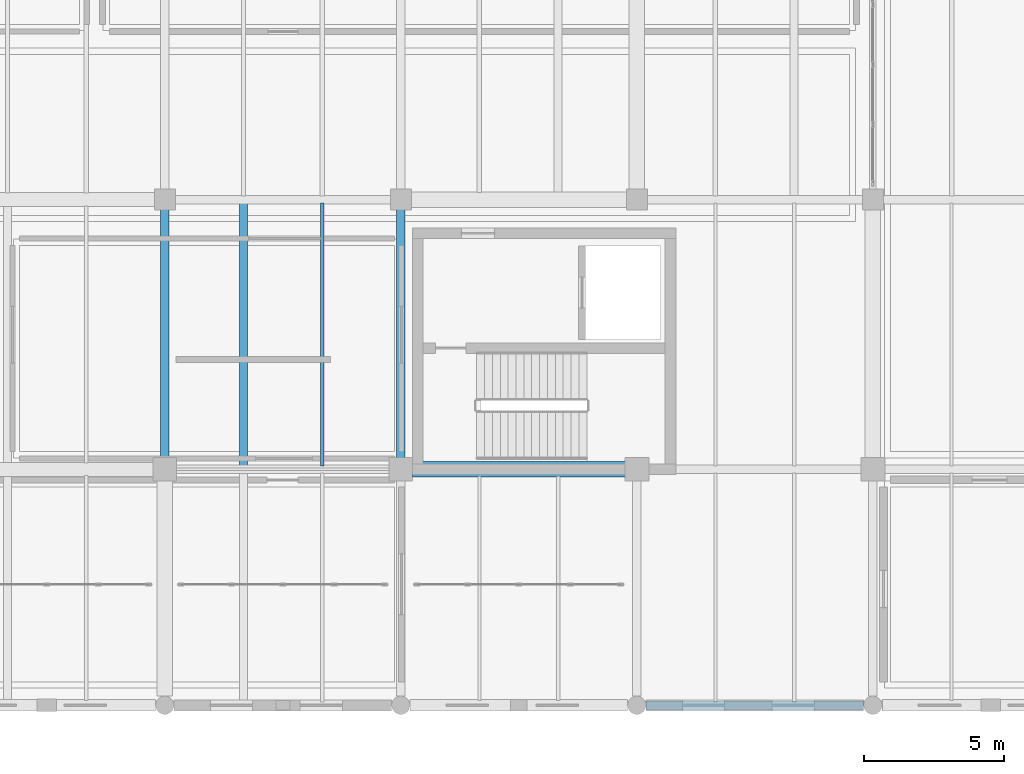
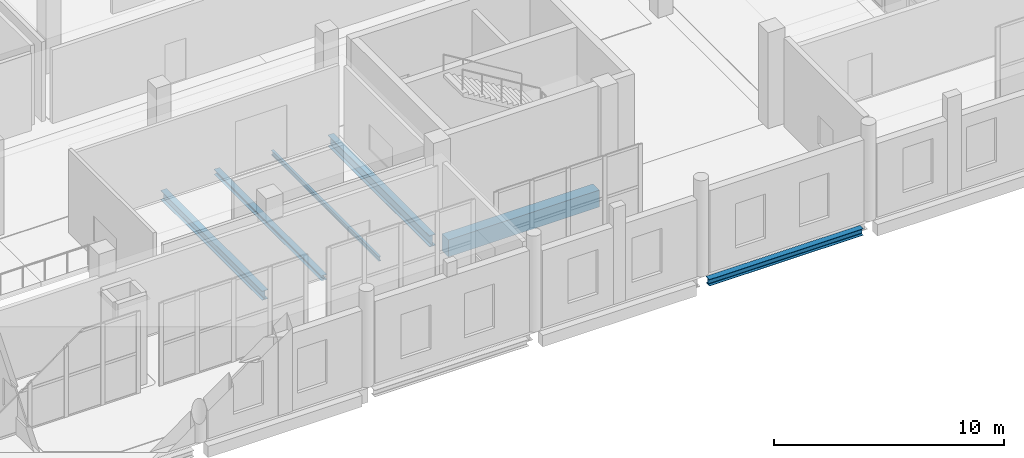
# One storey, part 8 of 73: 6 beams.
"""IFC4 building model written with IfcOpenShell, lengths in metres."""

import ifcopenshell
import ifcopenshell.guid

model = None  # the IFC model being written
_history = None  # IfcOwnerHistory: only IFC2X3 demands one
_inside = {}  # id of a spatial element -> (the spatial element, [elements in it])
_under = {}  # id of a project, library or spatial element -> (it, [spatial elements below it])
_declared = {}  # id of a project -> (the project, [libraries it declares])
_typed = {}  # id of a type object -> (the type object, [elements of that type])
_made_of = {}  # id of a material, layer set ... -> (it, [elements and type objects made of it])


def new_model(schema):
    """Start an empty IFC model of exactly this schema.

    Asked for "IFC4X3", IfcOpenShell would pick the latest addendum, in which some entities
    have other attributes; the version numbers below select the first issue.
    IFC2X3 requires an IfcOwnerHistory on every rooted entity: one is made here for all.
    """
    global model, _history
    if schema == "IFC4X3":
        model = ifcopenshell.file(schema_version=(4, 3, 0, 0))
    else:
        model = ifcopenshell.file(schema=schema)
    _inside.clear()
    _under.clear()
    _declared.clear()
    _typed.clear()
    _made_of.clear()
    _history = None
    if model.schema == "IFC2X3":
        org = make("IfcOrganization", Name="unknown")
        user = make(
            "IfcPersonAndOrganization",
            ThePerson=make("IfcPerson", FamilyName="unknown"),
            TheOrganization=org,
        )
        app = make(
            "IfcApplication",
            ApplicationDeveloper=org,
            Version="unknown",
            ApplicationFullName="unknown",
            ApplicationIdentifier="unknown",
        )
        _history = make(
            "IfcOwnerHistory",
            OwningUser=user,
            OwningApplication=app,
            ChangeAction="ADDED",
            CreationDate=0,
        )
    return model


def make(cls, **values):
    """One entity of the class cls with the attributes given. An attribute that is None is left unset."""
    return model.create_entity(
        cls, **{name: value for name, value in values.items() if value is not None}
    )


def rooted(cls, **values):
    """An entity with a GlobalId (a new one), such as an element, a storey or a relation."""
    return make(cls, GlobalId=ifcopenshell.guid.new(), OwnerHistory=_history, **values)


def si_unit(unit_type, name, prefix=None):
    """IfcSIUnit, for example si_unit("LENGTHUNIT", "METRE", prefix="MILLI")."""
    return make("IfcSIUnit", UnitType=unit_type, Prefix=prefix, Name=name)


def assignment(units):
    """IfcUnitAssignment: the units of a project."""
    return None if units is None else make("IfcUnitAssignment", Units=units)


def point(xyz):
    """IfcCartesianPoint."""
    return None if xyz is None else make("IfcCartesianPoint", Coordinates=xyz)


def direction(xyz):
    """IfcDirection."""
    return None if xyz is None else make("IfcDirection", DirectionRatios=xyz)


def frame(location, z_axis=None, x_axis=None):
    """IfcAxis2Placement3D, a coordinate frame: its origin and axes. An axis left out is left unset."""
    return make(
        "IfcAxis2Placement3D",
        Location=point(location),
        Axis=direction(z_axis),
        RefDirection=direction(x_axis),
    )


def frame_2d(location, x_axis=None):
    """IfcAxis2Placement2D, a coordinate frame in the plane: its origin and x axis."""
    return make(
        "IfcAxis2Placement2D", Location=point(location), RefDirection=direction(x_axis)
    )


def origin():
    """The frame at (0, 0, 0) with its axes left unset."""
    return frame((0.0, 0.0, 0.0))


def origin_2d():
    """The frame at (0, 0) in the plane with its x axis left unset."""
    return frame_2d((0.0, 0.0))


def place(relative_to, where):
    """IfcLocalPlacement: puts the frame where relative to a parent placement (None: the world)."""
    return make(
        "IfcLocalPlacement", PlacementRelTo=relative_to, RelativePlacement=where
    )


def context(
    kind, dimensions, precision=None, world=None, true_north=None, identifier=None
):
    """IfcGeometricRepresentationContext, for example the 3D "Model" context."""
    return make(
        "IfcGeometricRepresentationContext",
        ContextIdentifier=identifier,
        ContextType=kind,
        CoordinateSpaceDimension=dimensions,
        Precision=precision,
        WorldCoordinateSystem=world,
        TrueNorth=true_north,
    )


def subcontext(parent, identifier, kind, view, scale=None):
    """IfcGeometricRepresentationSubContext, for example "Body" below "Model"."""
    return make(
        "IfcGeometricRepresentationSubContext",
        ContextIdentifier=identifier,
        ContextType=kind,
        ParentContext=parent,
        TargetScale=scale,
        TargetView=view,
    )


def project(units=None, contexts=None):
    """IfcProject with its units and contexts."""
    return rooted(
        "IfcProject",
        Name="project",
        RepresentationContexts=contexts,
        UnitsInContext=assignment(units),
    )


def spatial(cls, under=None, at=None, **own):
    """A site, building, storey or space (cls), placed at a placement, below another one or the project."""
    s = rooted(cls, ObjectPlacement=at, **own)
    if under is not None:
        _under.setdefault(under.id(), (under, []))[1].append(s)
    return s


def profile(cls, at=None, kind="AREA", **sizes):
    """A parametric profile (cls). Its sizes go by their IFC names, for example OverallWidth=200.0."""
    return make(cls, ProfileType=kind, Position=at, **sizes)


def rectangle(**sizes):
    """IfcRectangleProfileDef."""
    return profile("IfcRectangleProfileDef", **sizes)


def i_section(**sizes):
    """IfcIShapeProfileDef."""
    return profile("IfcIShapeProfileDef", **sizes)


def extrude(swept, where, along, depth):
    """IfcExtrudedAreaSolid: the profile swept, set in the frame where, extruded along a direction by depth."""
    return make(
        "IfcExtrudedAreaSolid",
        SweptArea=swept,
        Position=where,
        ExtrudedDirection=direction(along),
        Depth=depth,
    )


def shape(context_of_items, identifier, shape_type, items):
    """IfcShapeRepresentation: the items that make up one representation, for example the "Body"."""
    return make(
        "IfcShapeRepresentation",
        ContextOfItems=context_of_items,
        RepresentationIdentifier=identifier,
        RepresentationType=shape_type,
        Items=items,
    )


def material(Name=None, Category=None):
    """IfcMaterial."""
    return make("IfcMaterial", Name=Name, Category=Category)


def material_profile(
    of_material, cross_section, Name=None, Category=None, Priority=None
):
    """IfcMaterialProfile: a cross section and its material."""
    return make(
        "IfcMaterialProfile",
        Name=Name,
        Material=of_material,
        Profile=cross_section,
        Priority=Priority,
        Category=Category,
    )


def profile_set(profiles, Name=None, composite=None):
    """IfcMaterialProfileSet."""
    return make(
        "IfcMaterialProfileSet",
        Name=Name,
        MaterialProfiles=profiles,
        CompositeProfile=composite,
    )


def made_of(thing, what):
    """Note that an element or type object is made of a material, layer set ...; save() writes the relation."""
    if what is not None:
        _made_of.setdefault(what.id(), (what, []))[1].append(thing)
    return thing


def type_object(cls, material=None, **own):
    """A type object (cls), such as IfcWallType, which elements share."""
    return made_of(rooted(cls, **own), material)


def element(
    cls,
    number,
    at=None,
    inside=None,
    cuts=None,
    type_object=None,
    material=None,
    context=None,
    identifier="Body",
    shape_type=None,
    held_by="IfcProductDefinitionShape",
    body=None,
    shapes=None,
    **own,
):
    """One element of the class cls, such as IfcWall. Its Tag is "e" and its number.

    at: its placement. inside: the storey or other place that contains it. cuts: it is an
    opening in that element (IfcRelVoidsElement). A single representation is given by context,
    identifier, shape_type and body (its items); several are given by shapes. held_by: the class
    of the entity that holds the representations. save() writes the other relations.
    """
    e = rooted(cls, Tag="e%d" % number, ObjectPlacement=at, **own)
    if body is not None:
        shapes = [shape(context, identifier, shape_type, body)]
    if shapes is not None:
        e.Representation = make(held_by, Representations=shapes)
    if inside is not None:
        _inside.setdefault(inside.id(), (inside, []))[1].append(e)
    if cuts is not None:
        rooted(
            "IfcRelVoidsElement", RelatingBuildingElement=cuts, RelatedOpeningElement=e
        )
    if type_object is not None:
        _typed.setdefault(type_object.id(), (type_object, []))[1].append(e)
    return made_of(e, material)


def aggregate(whole, parts):
    """IfcRelAggregates: a whole, such as a stair, and the parts it consists of."""
    return rooted("IfcRelAggregates", RelatingObject=whole, RelatedObjects=parts)


def save(model, path):
    """Write the relations noted so far, then the file.

    IfcRelAggregates (storeys below a building ...), IfcRelContainedInSpatialStructure (elements
    in a storey), IfcRelDefinesByType, IfcRelAssociatesMaterial and IfcRelDeclares: one each for
    every whole, place, type object, material and project.
    """
    for whole, parts in _under.values():
        aggregate(whole, parts)
    for where, things in _inside.values():
        rooted(
            "IfcRelContainedInSpatialStructure",
            RelatedElements=things,
            RelatingStructure=where,
        )
    for kind, things in _typed.values():
        rooted("IfcRelDefinesByType", RelatedObjects=things, RelatingType=kind)
    for what, things in _made_of.values():
        rooted("IfcRelAssociatesMaterial", RelatedObjects=things, RelatingMaterial=what)
    for by, libraries in _declared.values():
        rooted("IfcRelDeclares", RelatingContext=by, RelatedDefinitions=libraries)
    model.write(path)


model = new_model("IFC4")

# Units and contexts
model_context = context("Model", 3, precision=1e-05, world=origin(), true_north=direction((0.0, 1.0)))
body_context = subcontext(model_context, "Body", "Model", "MODEL_VIEW")
ifc_project = project(units=[si_unit("LENGTHUNIT", "METRE"), si_unit("AREAUNIT", "SQUARE_METRE"), si_unit("VOLUMEUNIT", "CUBIC_METRE"), si_unit("PLANEANGLEUNIT", "RADIAN"), si_unit("MASSUNIT", "GRAM", prefix="KILO")], contexts=[model_context])

# Site, building, storey
site_placement = place(None, origin())
site = spatial("IfcSite", under=ifc_project, at=site_placement, CompositionType="ELEMENT")
building_placement = place(site_placement, origin())
building = spatial("IfcBuilding", under=site, at=building_placement, Name="Zulmaris Art Gallery", CompositionType="ELEMENT")
storey_placement = place(building_placement, frame((0.0, 0.0, 10.5)))
storey = spatial("IfcBuildingStorey", under=building, at=storey_placement, Name="L02", CompositionType="ELEMENT", Elevation=10.5)

# Beams
ifc_material_1 = material(Name="Steel S355J2", Category="steel")
ifc_material_profile_1 = material_profile(ifc_material_1, i_section(OverallWidth=0.300048828125, OverallDepth=0.489990234375, WebThickness=0.011962890625, FlangeThickness=0.02294921875, FilletRadius=0.027099609375, at=origin_2d()), Name="HEA 500")
ifc_profile_set_1 = profile_set([ifc_material_profile_1], Name="Steel S355J2")
beam_type_1 = type_object("IfcBeamType", Name="BEAM-BM11", PredefinedType="BEAM", material=ifc_profile_set_1)
beam_1_placement = place(storey_placement, frame((57.60009765625, 22.010009765625, -0.64501953125), z_axis=(0.0, 1.0, 0.0), x_axis=(-1.0, 0.0, 0.0)))
element("IfcBeam", 1, at=beam_1_placement, inside=storey, type_object=beam_type_1, Name="L02 Y-girder (x=57.6, 21.6..31.2)", PredefinedType="BEAM", context=body_context, shape_type="SweptSolid", body=[
    extrude(i_section(OverallWidth=0.300048828125, OverallDepth=0.489990234375, WebThickness=0.011962890625, FlangeThickness=0.02294921875, FilletRadius=0.027099609375, at=origin_2d()), origin(), (0.0, 0.0, 1.0), 8.830078125),
])
ifc_material_profile_2 = material_profile(ifc_material_1, i_section(OverallWidth=0.300048828125, OverallDepth=0.60009765625, WebThickness=0.015380859375, FlangeThickness=0.030029296875, FilletRadius=0.027099609375, at=origin_2d()), Name="HEB 600")
ifc_profile_set_2 = profile_set([ifc_material_profile_2], Name="Steel S355J2")
beam_type_2 = type_object("IfcBeamType", Name="BEAM-BM15", PredefinedType="BEAM", material=ifc_profile_set_2)
beam_2_placement = place(storey_placement, frame((66.0, 22.010009765625, -0.699951171875), z_axis=(0.0, 1.0, 0.0), x_axis=(-1.0, 0.0, 0.0)))
element("IfcBeam", 2, at=beam_2_placement, inside=storey, type_object=beam_type_2, Name="L02 Y-girder (x=66.0, 21.6..31.2)", PredefinedType="BEAM", context=body_context, shape_type="SweptSolid", body=[
    extrude(i_section(OverallWidth=0.300048828125, OverallDepth=0.60009765625, WebThickness=0.015380859375, FlangeThickness=0.030029296875, FilletRadius=0.027099609375, at=origin_2d()), origin(), (0.0, 0.0, 1.0), 8.830078125),
])
ifc_material_2 = material(Name="Concrete C40/50", Category="concrete")
ifc_material_profile_3 = material_profile(ifc_material_2, rectangle(XDim=0.550048828125, YDim=0.89990234375, at=origin_2d()), Name="RC 550x900")
ifc_profile_set_3 = profile_set([ifc_material_profile_3], Name="Concrete C40/50")
beam_type_3 = type_object("IfcBeamType", Name="BEAM-BM21", PredefinedType="BEAM", material=ifc_profile_set_3)
beam_3_placement = place(storey_placement, frame((66.409912109375, 21.60009765625, -0.85009765625), z_axis=(1.0, 0.0, 0.0), x_axis=(0.0, 1.0, 0.0)))
element("IfcBeam", 3, at=beam_3_placement, inside=storey, type_object=beam_type_3, Name="L02 X-girder (66.0..74.4, y=21.6)", PredefinedType="BEAM", context=body_context, shape_type="SweptSolid", body=[
    extrude(rectangle(XDim=0.550048828125, YDim=0.89990234375, at=origin_2d()), origin(), (0.0, 0.0, 1.0), 7.580078125),
])
ifc_material_profile_4 = material_profile(ifc_material_1, i_section(OverallWidth=0.1201171875, OverallDepth=0.239990234375, WebThickness=0.006103515625, FlangeThickness=0.009765625, FilletRadius=0.014892578125, at=origin_2d()), Name="IPE 240")
ifc_profile_set_4 = profile_set([ifc_material_profile_4], Name="Steel S355J2")
beam_type_4 = type_object("IfcBeamType", Name="BEAM-JS01", PredefinedType="JOIST", material=ifc_profile_set_4)
beam_4_placement = place(storey_placement, frame((63.199951171875, 21.72509765625, -0.52001953125), z_axis=(0.0, 1.0, 0.0), x_axis=(-1.0, 0.0, 0.0)))
element("IfcBeam", 4, at=beam_4_placement, inside=storey, type_object=beam_type_4, Name="L02 secondary joist at x=63.2", PredefinedType="JOIST", context=body_context, shape_type="SweptSolid", body=[
    extrude(i_section(OverallWidth=0.1201171875, OverallDepth=0.239990234375, WebThickness=0.006103515625, FlangeThickness=0.009765625, FilletRadius=0.014892578125, at=origin_2d()), origin(), (0.0, 0.0, 1.0), 9.349853515625),
])
ifc_material_profile_5 = material_profile(ifc_material_1, i_section(OverallWidth=0.280029296875, OverallDepth=0.27001953125, WebThickness=0.008056640625, FlangeThickness=0.012939453125, FilletRadius=0.02392578125, at=origin_2d()), Name="HEA 280")
ifc_profile_set_5 = profile_set([ifc_material_profile_5], Name="Steel S355J2")
beam_type_5 = type_object("IfcBeamType", Name="BEAM-JS04", PredefinedType="JOIST", material=ifc_profile_set_5)
beam_5_placement = place(storey_placement, frame((60.39990234375, 21.72509765625, -0.534912109375), z_axis=(0.0, 1.0, 0.0), x_axis=(-1.0, 0.0, 0.0)))
element("IfcBeam", 5, at=beam_5_placement, inside=storey, type_object=beam_type_5, Name="L02 secondary joist at x=60.4", PredefinedType="JOIST", context=body_context, shape_type="SweptSolid", body=[
    extrude(i_section(OverallWidth=0.280029296875, OverallDepth=0.27001953125, WebThickness=0.008056640625, FlangeThickness=0.012939453125, FilletRadius=0.02392578125, at=origin_2d()), origin(), (0.0, 0.0, 1.0), 9.349853515625),
])
ifc_material_profile_6 = material_profile(ifc_material_1, i_section(OverallWidth=0.300048828125, OverallDepth=0.35009765625, WebThickness=0.010009765625, FlangeThickness=0.017578125, FilletRadius=0.027099609375, at=origin_2d()), Name="HEA 360")
ifc_profile_set_6 = profile_set([ifc_material_profile_6], Name="Steel S355J2")
beam_type_6 = type_object("IfcBeamType", Name="BEAM-SP01", PredefinedType="SPANDREL", material=ifc_profile_set_6)
beam_6_placement = place(storey_placement, frame((74.735107421875, 13.199951171875, -0.574951171875), z_axis=(1.0, 0.0, 0.0), x_axis=(0.0, 1.0, 0.0)))
element("IfcBeam", 6, at=beam_6_placement, inside=storey, type_object=beam_type_6, Name="L02 X-girder (74.4..82.8, y=13.2)", PredefinedType="SPANDREL", context=body_context, shape_type="SweptSolid", body=[
    extrude(i_section(OverallWidth=0.300048828125, OverallDepth=0.35009765625, WebThickness=0.010009765625, FlangeThickness=0.017578125, FilletRadius=0.027099609375, at=origin_2d()), origin(), (0.0, 0.0, 1.0), 7.72998046875),
])

save(model, "model.ifc")
